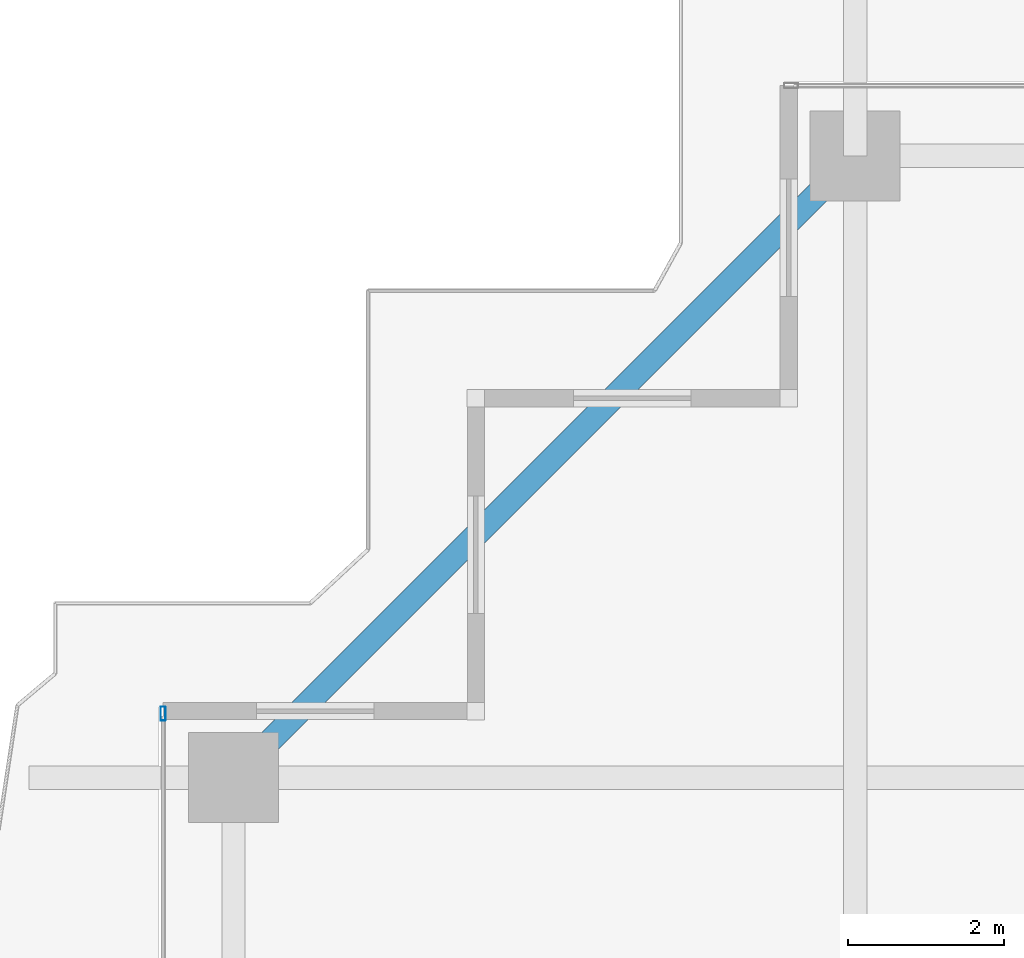
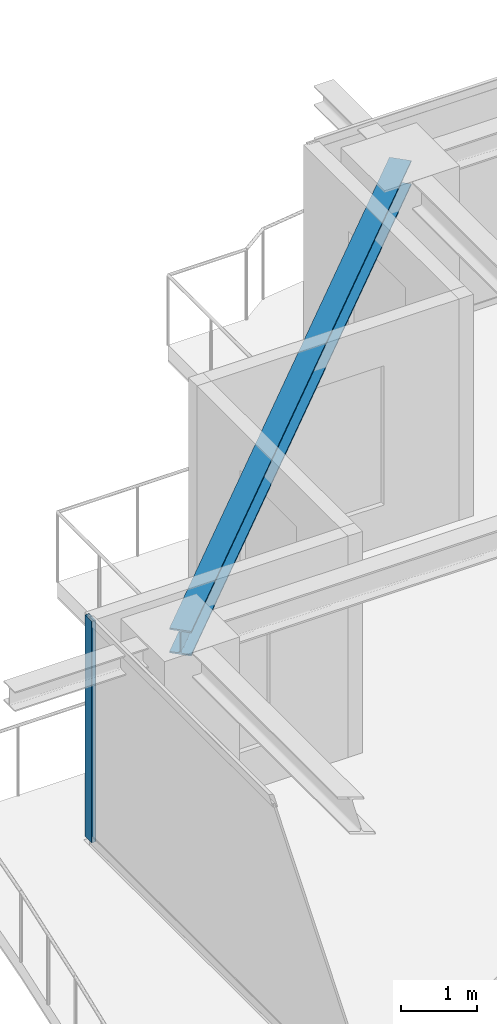
# One storey, part 19 of 40: 1 beam, 1 member, 1 element without a shape of its own.
"""IFC4 building model written with IfcOpenShell, lengths in metres."""

from ifc_helpers import new_model, si_unit, direction, frame, origin, origin_2d, place, context, subcontext, project, spatial, hollow_rectangle, i_section, extrude, source, transform, mapped, material, layer, layer_set, material_profile, profile_set, type_object, element, aggregate, save


model = new_model("IFC4")

# Units and contexts
model_context = context("Model", 3, precision=1e-05, world=origin(), true_north=direction((0.0, 1.0)))
body_context = subcontext(model_context, "Body", "Model", "MODEL_VIEW")
ifc_project = project(units=[si_unit("LENGTHUNIT", "METRE"), si_unit("AREAUNIT", "SQUARE_METRE"), si_unit("VOLUMEUNIT", "CUBIC_METRE"), si_unit("PLANEANGLEUNIT", "RADIAN"), si_unit("MASSUNIT", "GRAM", prefix="KILO")], contexts=[model_context])

# Site, building, storey
site_placement = place(None, origin())
site = spatial("IfcSite", under=ifc_project, at=site_placement, CompositionType="ELEMENT")
building_placement = place(site_placement, origin())
building = spatial("IfcBuilding", under=site, at=building_placement, Name="Serunith Strait Residences", CompositionType="ELEMENT")
storey_placement = place(building_placement, frame((0.0, 0.0, 252.800048828125)))
storey = spatial("IfcBuildingStorey", under=building, at=storey_placement, Name="L63", CompositionType="ELEMENT", Elevation=252.800048828125)

# Beam
ifc_material_1 = material(Name="Steel S355J2", Category="steel")
ifc_material_profile_1 = material_profile(ifc_material_1, i_section(OverallWidth=0.300048828125, OverallDepth=0.39990234375, WebThickness=0.013427734375, FlangeThickness=0.02392578125, FilletRadius=0.027099609375, at=origin_2d()), Name="HEB 400")
ifc_profile_set_1 = profile_set([ifc_material_profile_1], Name="Steel S355J2")
beam_type = type_object("IfcBeamType", Name="BM-HEB400", PredefinedType="BEAM", material=ifc_profile_set_1)
shared_shape_1 = source(origin(), body_context, "Body", "SweptSolid", [
    extrude(i_section(OverallWidth=0.300048828125, OverallDepth=0.39990234375, WebThickness=0.013427734375, FlangeThickness=0.02392578125, FilletRadius=0.027099609375, at=origin_2d()), origin(), (0.0, 0.0, 1.0), 11.242919921875),
])
beam_placement = place(storey_placement, frame((16.25, 48.300048828125, 3.35693359375), z_axis=(-0.707106781187, -0.707106781187, 0.0), x_axis=(0.707106781187, -0.707106781187, 0.0)))
element("IfcBeam", 1, at=beam_placement, inside=storey, type_object=beam_type, Name="L63 Perimeter Ring Beam 12", PredefinedType="BEAM", context=body_context, shape_type="MappedRepresentation", body=[
    mapped(shared_shape_1, transform((0.0, 0.0, 0.0), scale=1.0)),
])

# Curtain wall, member
ifc_material_2 = material(Name="Pale-Champagne Anodised Aluminium", Category="aluminium")
ifc_layer = layer(ifc_material_2, 0.199951171875, Name="Pale-Champagne Anodised Aluminium")
ifc_layer_set = layer_set([ifc_layer], Name="Pale-Champagne Anodised Aluminium")
curtain_wall_type = type_object("IfcCurtainWallType", Name="CW-SYS4", PredefinedType="NOTDEFINED", material=ifc_layer_set)
curtain_wall_placement = place(storey_placement, origin())
curtain_wall = element("IfcCurtainWall", 2, at=curtain_wall_placement, inside=storey, type_object=curtain_wall_type, Name="L63 W Unitised Fritted Curtain Wall", PredefinedType="NOTDEFINED")
ifc_material_profile_2 = material_profile(ifc_material_2, hollow_rectangle(XDim=0.06494140625, YDim=0.179931640625, WallThickness=0.00341796875, InnerFilletRadius=0.00537109375, OuterFilletRadius=0.0087890625, at=origin_2d()), Name="ALU 180x65x3.5")
ifc_profile_set_2 = profile_set([ifc_material_profile_2], Name="Pale-Champagne Anodised Aluminium")
member_type = type_object("IfcMemberType", Name="CW-SYS4-MULL", PredefinedType="MULLION", material=ifc_profile_set_2)
shared_shape_2 = source(origin(), body_context, "Body", "SweptSolid", [
    extrude(hollow_rectangle(XDim=0.06494140625, YDim=0.179931640625, WallThickness=0.00341796875, InnerFilletRadius=0.00537109375, OuterFilletRadius=0.0087890625, at=origin_2d()), origin(), (0.0, 0.0, 1.0), 3.574951171875),
])
member_placement = place(storey_placement, frame((7.39990234375, 41.16748046875, 0.0), z_axis=(0.0, 0.0, 1.0), x_axis=(1.0, 0.0, 0.0)))
member = element("IfcMember", 3, at=member_placement, type_object=member_type, Name="CW-4 mullion 1", PredefinedType="MULLION", context=body_context, shape_type="MappedRepresentation", body=[
    mapped(shared_shape_2, transform((0.0, 0.0, 0.0), scale=1.0)),
])
aggregate(curtain_wall, [member])

save(model, "model.ifc")
